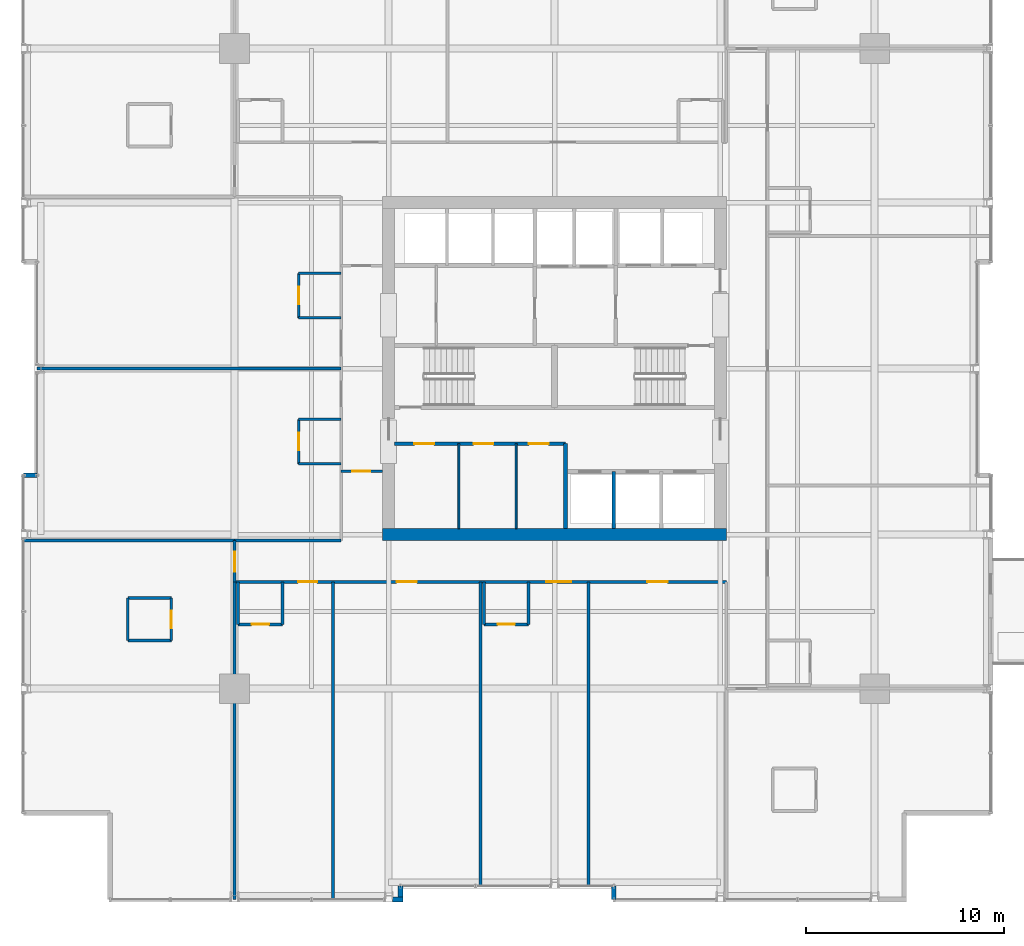
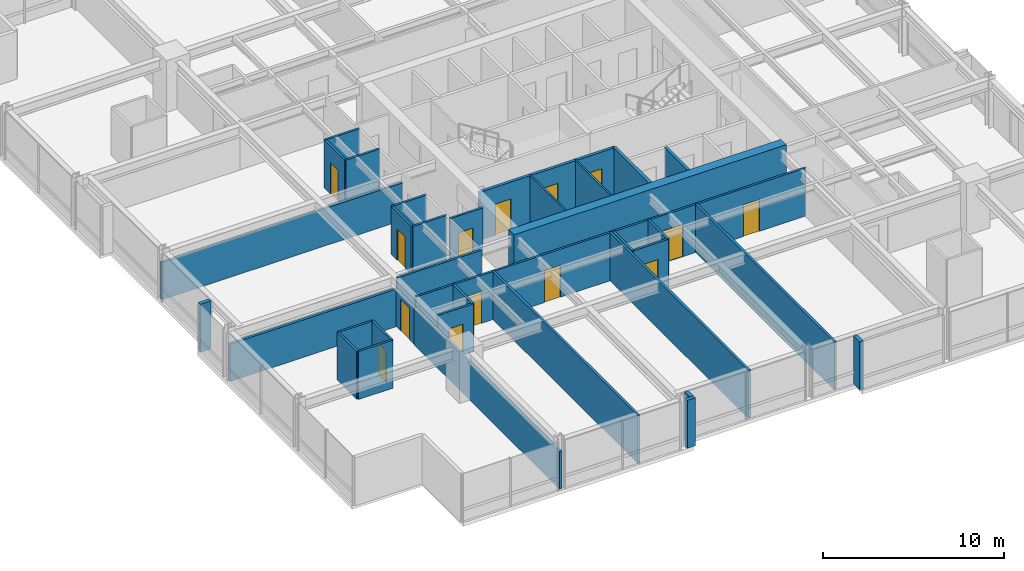
# One storey, part 28 of 33: 36 walls, 14 doors, 14 openings.
"""IFC4 building model written with IfcOpenShell, lengths in metres."""

from ifc_helpers import new_model, si_unit, direction, frame, frame_2d, origin, place, context, subcontext, project, spatial, rectangle, extrude, material, layer, layer_set, type_object, element, fill, save


model = new_model("IFC4")

# Units and contexts
model_context = context("Model", 3, precision=1e-05, world=origin(), true_north=direction((0.0, 1.0)))
body_context = subcontext(model_context, "Body", "Model", "MODEL_VIEW")
ifc_project = project(units=[si_unit("LENGTHUNIT", "METRE"), si_unit("AREAUNIT", "SQUARE_METRE"), si_unit("VOLUMEUNIT", "CUBIC_METRE"), si_unit("PLANEANGLEUNIT", "RADIAN"), si_unit("MASSUNIT", "GRAM", prefix="KILO")], contexts=[model_context])

# Site, building, storey
site_placement = place(None, origin())
site = spatial("IfcSite", under=ifc_project, at=site_placement, CompositionType="ELEMENT")
building_placement = place(site_placement, origin())
building = spatial("IfcBuilding", under=site, at=building_placement, Name="Drelvath Grand Hotel", CompositionType="ELEMENT")
storey_placement = place(building_placement, frame((0.0, 0.0, 119.800048828125)))
storey = spatial("IfcBuildingStorey", under=building, at=storey_placement, Name="L30", CompositionType="ELEMENT", Elevation=119.800048828125)

# Walls
ifc_material_1 = material(Name="Gypsum Partition Board")
ifc_layer_1 = layer(ifc_material_1, 0.10009765625)
ifc_layer_set_1 = layer_set([ifc_layer_1], Name="Gypsum Partition Board")
wall_type_1 = type_object("IfcWallType", Name="Core Closet Partition 100", PredefinedType="PARTITIONING", material=ifc_layer_set_1)
for number, where, z_axis, x_axis, name in (
    (1, (-4.840087890625, 18.89990234375, 0.0), (0.0, 0.0, 1.0), (0.0, 1.0, 0.0), "L30 Reclaimed Split 1"),
    (2, (-1.93994140625, 18.89990234375, 0.0), (0.0, 0.0, 1.0), (0.0, 1.0, 0.0), "L30 Reclaimed Split 2"),
):
    element("IfcWall", number, at=place(storey_placement, frame(where, z_axis=z_axis, x_axis=x_axis)), inside=storey, type_object=wall_type_1, Name=name, PredefinedType="PARTITIONING", context=body_context, shape_type="SweptSolid", body=[
        extrude(rectangle(XDim=4.300048828125, YDim=0.10009765625, at=frame_2d((2.14990234375, 0.0))), origin(), (0.0, 0.0, 1.0), 3.239990234375),
    ])
ifc_material_2 = material(Name="Concrete C40/50", Category="concrete")
ifc_layer_2 = layer(ifc_material_2, 0.199951171875)
ifc_layer_set_2 = layer_set([ifc_layer_2], Name="Concrete C40/50")
wall_type_2 = type_object("IfcWallType", Name="Core Hoistway Fire Wall 200", PredefinedType="SOLIDWALL", material=ifc_layer_set_2)
wall_1_placement = place(storey_placement, frame((0.550048828125, 18.89990234375, 0.0), z_axis=(0.0, 0.0, 1.0), x_axis=(0.0, 1.0, 0.0)))
element("IfcWall", 3, at=wall_1_placement, inside=storey, type_object=wall_type_2, Name="L30 Bank 2 West Wall", PredefinedType="SOLIDWALL", context=body_context, shape_type="SweptSolid", body=[
    extrude(rectangle(XDim=4.300048828125, YDim=0.199951171875, at=frame_2d((2.14990234375, 0.0))), origin(), (0.0, 0.0, 1.0), 3.239990234375),
])
ifc_material_3 = material(Name="Gypsum Fireboard Partition")
ifc_layer_3 = layer(ifc_material_3, 0.1650390625)
ifc_layer_set_3 = layer_set([ifc_layer_3], Name="Gypsum Fireboard Partition")
wall_type_3 = type_object("IfcWallType", Name="Core Shaft Partition 165", PredefinedType="PARTITIONING", material=ifc_layer_set_3)
wall_2_placement = place(storey_placement, frame((3.0, 18.89990234375, 0.0), z_axis=(0.0, 0.0, 1.0), x_axis=(0.0, 1.0, 0.0)))
element("IfcWall", 4, at=wall_2_placement, inside=storey, type_object=wall_type_3, Name="L30 Lift PE-4/5 Divider", PredefinedType="PARTITIONING", context=body_context, shape_type="SweptSolid", body=[
    extrude(rectangle(XDim=2.880126953125, YDim=0.1650390625, at=frame_2d((1.43994140625, 0.0))), origin(), (0.0, 0.0, 1.0), 3.239990234375),
])

# Wall, opening, door
ifc_layer_4 = layer(ifc_material_3, 0.135009765625)
ifc_layer_set_4 = layer_set([ifc_layer_4], Name="Gypsum Fireboard Partition")
wall_type_4 = type_object("IfcWallType", Name="Corridor Fire Barrier Wall 135", PredefinedType="PARTITIONING", material=ifc_layer_set_4)
wall_3_placement = place(storey_placement, frame((-10.800048828125, 21.800048828125, 0.0), z_axis=(0.0, 0.0, 1.0), x_axis=(1.0, 0.0, 0.0)))
wall_3 = element("IfcWall", 5, at=wall_3_placement, inside=storey, type_object=wall_type_4, Name="L30 West Foyer South Wall", PredefinedType="PARTITIONING", context=body_context, shape_type="SweptSolid", body=[
    extrude(rectangle(XDim=2.10009765625, YDim=0.135009765625, at=frame_2d((1.050048828125, 0.0))), origin(), (0.0, 0.0, 1.0), 3.239990234375),
])
opening_1_placement = place(wall_3_placement, frame((0.550048828125, 0.0, 0.0)))
opening_1 = element("IfcOpeningElement", 6, at=opening_1_placement, cuts=wall_3, Name="Opening D-T2G3-019", PredefinedType="OPENING", context=body_context, shape_type="SweptSolid", body=[
    extrude(rectangle(XDim=0.919921875, YDim=2.10009765625, at=frame_2d((0.4599609375, 1.050048828125))), frame((0.0, 0.077392578125, 0.0), z_axis=(0.0, -1.0, 0.0), x_axis=(1.0, 0.0, 0.0)), (0.0, 0.0, 1.0), 0.155029296875),
])
ifc_material_4 = material(Name="Painted Steel S275", Category="steel")
door_type_1 = type_object("IfcDoorType", Name="Staff Utility Door 920x2100", OperationType="NOTDEFINED", PredefinedType="DOOR", material=ifc_material_4)
door_1_placement = place(opening_1_placement, origin())
door_1 = element("IfcDoor", 7, at=door_1_placement, inside=storey, type_object=door_type_1, Name="L30 West Linen Closet Door", OperationType="SINGLE_SWING_RIGHT", OverallHeight=2.10009765625, OverallWidth=0.919921875, PredefinedType="DOOR", context=body_context, shape_type="SweptSolid", body=[
    extrude(rectangle(XDim=0.919921875, YDim=2.10009765625, at=frame_2d((0.4599609375, 1.050048828125))), frame((0.0, 0.02490234375, 0.0), z_axis=(0.0, -1.0, 0.0), x_axis=(1.0, 0.0, 0.0)), (0.0, 0.0, 1.0), 0.050048828125),
])
fill(opening_1, door_1)

# Wall
wall_4_placement = place(storey_placement, frame((-16.199951171875, 18.300048828125, 0.0), z_axis=(0.0, 0.0, 1.0), x_axis=(1.0, 0.0, 0.0)))
element("IfcWall", 8, at=wall_4_placement, inside=storey, type_object=wall_type_4, Name="L30 SW Stub North Wall", PredefinedType="PARTITIONING", context=body_context, shape_type="SweptSolid", body=[
    extrude(rectangle(XDim=5.39990234375, YDim=0.135009765625, at=frame_2d((2.699951171875, 0.0))), origin(), (0.0, 0.0, 1.0), 3.239990234375),
])

# Wall, openings, doors
wall_5_placement = place(storey_placement, frame((-16.199951171875, 16.199951171875, 0.0), z_axis=(0.0, 0.0, 1.0), x_axis=(1.0, 0.0, 0.0)))
wall_5 = element("IfcWall", 9, at=wall_5_placement, inside=storey, type_object=wall_type_4, Name="L30 South Stub Corridor Wall", PredefinedType="PARTITIONING", context=body_context, shape_type="SweptSolid", body=[
    extrude(rectangle(XDim=24.89990234375, YDim=0.135009765625, at=frame_2d((12.449951171875, 0.0))), origin(), (0.0, 0.0, 1.0), 3.239990234375),
])
opening_2_placement = place(wall_5_placement, frame((3.22509765625, 0.0, 0.0)))
opening_2 = element("IfcOpeningElement", 10, at=opening_2_placement, cuts=wall_5, Name="Opening D-T2G3-030", PredefinedType="OPENING", context=body_context, shape_type="SweptSolid", body=[
    extrude(rectangle(XDim=0.9599609375, YDim=2.14990234375, at=frame_2d((0.47998046875, 1.074951171875))), frame((0.0, 0.077392578125, 0.0), z_axis=(0.0, -1.0, 0.0), x_axis=(1.0, 0.0, 0.0)), (0.0, 0.0, 1.0), 0.155029296875),
])
opening_3_placement = place(wall_5_placement, frame((8.205078125, 0.0, 0.0)))
opening_3 = element("IfcOpeningElement", 11, at=opening_3_placement, cuts=wall_5, Name="Opening D-T2G3-031", PredefinedType="OPENING", context=body_context, shape_type="SweptSolid", body=[
    extrude(rectangle(XDim=1.02001953125, YDim=2.14990234375, at=frame_2d((0.510009765625, 1.074951171875))), frame((0.0, 0.077392578125, 0.0), z_axis=(0.0, -1.0, 0.0), x_axis=(1.0, 0.0, 0.0)), (0.0, 0.0, 1.0), 0.155029296875),
])
opening_4_placement = place(wall_5_placement, frame((15.77392578125, 0.0, 0.0)))
opening_4 = element("IfcOpeningElement", 12, at=opening_4_placement, cuts=wall_5, Name="Opening D-T2G3-033", PredefinedType="OPENING", context=body_context, shape_type="SweptSolid", body=[
    extrude(rectangle(XDim=1.260009765625, YDim=2.199951171875, at=frame_2d((0.6298828125, 1.10009765625))), frame((0.0, 0.077392578125, 0.0), z_axis=(0.0, -1.0, 0.0), x_axis=(1.0, 0.0, 0.0)), (0.0, 0.0, 1.0), 0.155029296875),
])
opening_5_placement = place(wall_5_placement, frame((20.904052734375, 0.0, 0.0)))
opening_5 = element("IfcOpeningElement", 13, at=opening_5_placement, cuts=wall_5, Name="Opening D-T2G3-034", PredefinedType="OPENING", context=body_context, shape_type="SweptSolid", body=[
    extrude(rectangle(XDim=1.02001953125, YDim=2.14990234375, at=frame_2d((0.510009765625, 1.074951171875))), frame((0.0, 0.077392578125, 0.0), z_axis=(0.0, -1.0, 0.0), x_axis=(1.0, 0.0, 0.0)), (0.0, 0.0, 1.0), 0.155029296875),
])
ifc_material_5 = material(Name="Hardwood Walnut Timber", Category="wood")
door_type_2 = type_object("IfcDoorType", Name="Amenity Meeting Fire Door 1020x2150", OperationType="NOTDEFINED", PredefinedType="DOOR", material=ifc_material_5)
door_2_placement = place(opening_3_placement, origin())
door_2 = element("IfcDoor", 14, at=door_2_placement, inside=storey, type_object=door_type_2, Name="L30 Spa Hydrotherapy Room Entry Door", OperationType="SINGLE_SWING_RIGHT", OverallHeight=2.14990234375, OverallWidth=1.02001953125, PredefinedType="DOOR", context=body_context, shape_type="SweptSolid", body=[
    extrude(rectangle(XDim=1.02001953125, YDim=2.14990234375, at=frame_2d((0.510009765625, 1.074951171875))), frame((0.0, 0.02490234375, 0.0), z_axis=(0.0, -1.0, 0.0), x_axis=(1.0, 0.0, 0.0)), (0.0, 0.0, 1.0), 0.050048828125),
])
fill(opening_3, door_2)
door_3_placement = place(opening_5_placement, origin())
door_3 = element("IfcDoor", 15, at=door_3_placement, inside=storey, type_object=door_type_2, Name="L30 Massage Therapy Room Entry Door", OperationType="SINGLE_SWING_LEFT", OverallHeight=2.14990234375, OverallWidth=1.02001953125, PredefinedType="DOOR", context=body_context, shape_type="SweptSolid", body=[
    extrude(rectangle(XDim=1.02001953125, YDim=2.14990234375, at=frame_2d((0.510009765625, 1.074951171875))), frame((0.0, 0.02490234375, 0.0), z_axis=(0.0, -1.0, 0.0), x_axis=(1.0, 0.0, 0.0)), (0.0, 0.0, 1.0), 0.050048828125),
])
fill(opening_5, door_3)
door_type_3 = type_object("IfcDoorType", Name="Guestroom Entrance Fire Door 960x2150", OperationType="NOTDEFINED", PredefinedType="DOOR", material=ifc_material_5)
door_4_placement = place(opening_2_placement, origin())
door_4 = element("IfcDoor", 16, at=door_4_placement, inside=storey, type_object=door_type_3, Name="L30 Deluxe Guest Room Entry Door", OperationType="SINGLE_SWING_LEFT", OverallHeight=2.14990234375, OverallWidth=0.9599609375, PredefinedType="DOOR", context=body_context, shape_type="SweptSolid", body=[
    extrude(rectangle(XDim=0.9599609375, YDim=2.14990234375, at=frame_2d((0.47998046875, 1.074951171875))), frame((0.0, 0.02490234375, 0.0), z_axis=(0.0, -1.0, 0.0), x_axis=(1.0, 0.0, 0.0)), (0.0, 0.0, 1.0), 0.050048828125),
])
fill(opening_2, door_4)
door_type_4 = type_object("IfcDoorType", Name="Suite Entrance Fire Door 1260x2200", OperationType="NOTDEFINED", PredefinedType="DOOR", material=ifc_material_5)
door_5_placement = place(opening_4_placement, origin())
door_5 = element("IfcDoor", 17, at=door_5_placement, inside=storey, type_object=door_type_4, Name="L30 Corner Suite Entry Door", OperationType="SINGLE_SWING_RIGHT", OverallHeight=2.199951171875, OverallWidth=1.260009765625, PredefinedType="DOOR", context=body_context, shape_type="SweptSolid", body=[
    extrude(rectangle(XDim=1.260009765625, YDim=2.199951171875, at=frame_2d((0.6298828125, 1.10009765625))), frame((0.0, 0.02490234375, 0.0), z_axis=(0.0, -1.0, 0.0), x_axis=(1.0, 0.0, 0.0)), (0.0, 0.0, 1.0), 0.050048828125),
])
fill(opening_4, door_5)

# Wall, opening, door
wall_6_placement = place(storey_placement, frame((-16.199951171875, 16.199951171875, 0.0), z_axis=(0.0, 0.0, 1.0), x_axis=(0.0, 1.0, 0.0)))
wall_6 = element("IfcWall", 18, at=wall_6_placement, inside=storey, type_object=wall_type_4, Name="L30 South Stub West End", PredefinedType="PARTITIONING", context=body_context, shape_type="SweptSolid", body=[
    extrude(rectangle(XDim=2.10009765625, YDim=0.135009765625, at=frame_2d((1.050048828125, 0.0))), origin(), (0.0, 0.0, 1.0), 2.529541015625),
])
opening_6_placement = place(wall_6_placement, frame((0.52001953125, 0.0, 0.0)))
opening_6 = element("IfcOpeningElement", 19, at=opening_6_placement, cuts=wall_6, Name="Opening D-T2G3-022", PredefinedType="OPENING", context=body_context, shape_type="SweptSolid", body=[
    extrude(rectangle(XDim=1.02001953125, YDim=2.14990234375, at=frame_2d((0.510009765625, 1.074951171875))), frame((0.0, 0.077392578125, 0.0), z_axis=(0.0, -1.0, 0.0), x_axis=(1.0, 0.0, 0.0)), (0.0, 0.0, 1.0), 0.155029296875),
])
door_6_placement = place(opening_6_placement, origin())
door_6 = element("IfcDoor", 20, at=door_6_placement, inside=storey, type_object=door_type_2, Name="L30 Corner Suite Entry Door", OperationType="SINGLE_SWING_LEFT", OverallHeight=2.14990234375, OverallWidth=1.02001953125, PredefinedType="DOOR", context=body_context, shape_type="SweptSolid", body=[
    extrude(rectangle(XDim=1.02001953125, YDim=2.14990234375, at=frame_2d((0.510009765625, 1.074951171875))), frame((0.0, 0.02490234375, 0.0), z_axis=(0.0, -1.0, 0.0), x_axis=(1.0, 0.0, 0.0)), (0.0, 0.0, 1.0), 0.050048828125),
])
fill(opening_6, door_6)

# Walls
ifc_material_6 = material(Name="Moisture-Resistant Gypsum Board")
ifc_layer_5 = layer(ifc_material_6, 0.139892578125)
ifc_layer_set_5 = layer_set([ifc_layer_5], Name="Moisture-Resistant Gypsum Board")
wall_type_5 = type_object("IfcWallType", Name="En-Suite Plumbing Wall 140", PredefinedType="PLUMBINGWALL", material=ifc_layer_set_5)
for number, where, z_axis, x_axis, name in (
    (21, (-21.60009765625, 13.239990234375, 0.0), (0.0, 0.0, 1.0), (1.0, 0.0, 0.0), "L30 Corner En-Suite South"),
    (22, (-21.60009765625, 15.389892578125, 0.0), (0.0, 0.0, 1.0), (1.0, 0.0, 0.0), "L30 Corner En-Suite North"),
):
    element("IfcWall", number, at=place(storey_placement, frame(where, z_axis=z_axis, x_axis=x_axis)), inside=storey, type_object=wall_type_5, Name=name, PredefinedType="PLUMBINGWALL", context=body_context, shape_type="SweptSolid", body=[
        extrude(rectangle(XDim=2.2001953125, YDim=0.139892578125, at=frame_2d((1.10009765625, 0.0))), origin(), (0.0, 0.0, 1.0), 3.239990234375),
    ])
wall_7_placement = place(storey_placement, frame((-21.60009765625, 13.239990234375, 0.0), z_axis=(0.0, 0.0, 1.0), x_axis=(0.0, 1.0, 0.0)))
element("IfcWall", 23, at=wall_7_placement, inside=storey, type_object=wall_type_5, Name="L30 Corner En-Suite West", PredefinedType="PLUMBINGWALL", context=body_context, shape_type="SweptSolid", body=[
    extrude(rectangle(XDim=2.14990234375, YDim=0.139892578125, at=frame_2d((1.074951171875, 0.0))), origin(), (0.0, 0.0, 1.0), 3.239990234375),
])

# Wall, opening, door
wall_8_placement = place(storey_placement, frame((-19.39990234375, 13.239990234375, 0.0), z_axis=(0.0, 0.0, 1.0), x_axis=(0.0, 1.0, 0.0)))
wall_8 = element("IfcWall", 24, at=wall_8_placement, inside=storey, type_object=wall_type_5, Name="L30 Corner En-Suite East", PredefinedType="PLUMBINGWALL", context=body_context, shape_type="SweptSolid", body=[
    extrude(rectangle(XDim=2.14990234375, YDim=0.139892578125, at=frame_2d((1.074951171875, 0.0))), origin(), (0.0, 0.0, 1.0), 3.239990234375),
])
opening_7_placement = place(wall_8_placement, frame((0.6201171875, 0.0, 0.0)))
opening_7 = element("IfcOpeningElement", 25, at=opening_7_placement, cuts=wall_8, Name="Opening D-T2G3-021", PredefinedType="OPENING", context=body_context, shape_type="SweptSolid", body=[
    extrude(rectangle(XDim=0.8798828125, YDim=2.10009765625, at=frame_2d((0.43994140625, 1.050048828125))), frame((0.0, 0.079833984375, 0.0), z_axis=(0.0, -1.0, 0.0), x_axis=(1.0, 0.0, 0.0)), (0.0, 0.0, 1.0), 0.159912109375),
])
door_type_5 = type_object("IfcDoorType", Name="En-Suite Bathroom Door 880x2100", OperationType="NOTDEFINED", PredefinedType="DOOR", material=ifc_material_5)
door_7_placement = place(opening_7_placement, origin())
door_7 = element("IfcDoor", 26, at=door_7_placement, inside=storey, type_object=door_type_5, Name="L30 Corner En-Suite Door", OperationType="SINGLE_SWING_RIGHT", OverallHeight=2.10009765625, OverallWidth=0.8798828125, PredefinedType="DOOR", context=body_context, shape_type="SweptSolid", body=[
    extrude(rectangle(XDim=0.8798828125, YDim=2.10009765625, at=frame_2d((0.43994140625, 1.050048828125))), frame((0.0, 0.02490234375, 0.0), z_axis=(0.0, -1.0, 0.0), x_axis=(1.0, 0.0, 0.0)), (0.0, 0.0, 1.0), 0.050048828125),
])
fill(opening_7, door_7)

# Walls
wall_9_placement = place(storey_placement, frame((-16.02001953125, 16.199951171875, 0.0), z_axis=(0.0, 0.0, 1.0), x_axis=(0.0, -1.0, 0.0)))
element("IfcWall", 27, at=wall_9_placement, inside=storey, type_object=wall_type_5, Name="L30 En-Suite Left Wall", PredefinedType="PLUMBINGWALL", context=body_context, shape_type="SweptSolid", body=[
    extrude(rectangle(XDim=2.14990234375, YDim=0.139892578125, at=frame_2d((1.074951171875, 0.0))), origin(), (0.0, 0.0, 1.0), 2.529541015625),
])
wall_10_placement = place(storey_placement, frame((-13.77001953125, 16.199951171875, 0.0), z_axis=(0.0, 0.0, 1.0), x_axis=(0.0, -1.0, 0.0)))
element("IfcWall", 28, at=wall_10_placement, inside=storey, type_object=wall_type_5, Name="L30 En-Suite Right Wall", PredefinedType="PLUMBINGWALL", context=body_context, shape_type="SweptSolid", body=[
    extrude(rectangle(XDim=2.14990234375, YDim=0.139892578125, at=frame_2d((1.074951171875, 0.0))), origin(), (0.0, 0.0, 1.0), 3.239990234375),
])

# Wall, opening, door
wall_11_placement = place(storey_placement, frame((-16.02001953125, 14.050048828125, 0.0), z_axis=(0.0, 0.0, 1.0), x_axis=(1.0, 0.0, 0.0)))
wall_11 = element("IfcWall", 29, at=wall_11_placement, inside=storey, type_object=wall_type_5, Name="L30 En-Suite Front Wall", PredefinedType="PLUMBINGWALL", context=body_context, shape_type="SweptSolid", body=[
    extrude(rectangle(XDim=2.25, YDim=0.139892578125, at=frame_2d((1.125, 0.0))), origin(), (0.0, 0.0, 1.0), 3.239990234375),
])
opening_8_placement = place(wall_11_placement, frame((0.68505859375, 0.0, 0.0)))
opening_8 = element("IfcOpeningElement", 30, at=opening_8_placement, cuts=wall_11, Name="Opening D-T2G3-029", PredefinedType="OPENING", context=body_context, shape_type="SweptSolid", body=[
    extrude(rectangle(XDim=0.8798828125, YDim=2.10009765625, at=frame_2d((0.43994140625, 1.050048828125))), frame((0.0, 0.079833984375, 0.0), z_axis=(0.0, -1.0, 0.0), x_axis=(1.0, 0.0, 0.0)), (0.0, 0.0, 1.0), 0.159912109375),
])
door_8_placement = place(opening_8_placement, origin())
door_8 = element("IfcDoor", 31, at=door_8_placement, inside=storey, type_object=door_type_5, Name="L30 En-Suite Bathroom Door", OperationType="SINGLE_SWING_RIGHT", OverallHeight=2.10009765625, OverallWidth=0.8798828125, PredefinedType="DOOR", context=body_context, shape_type="SweptSolid", body=[
    extrude(rectangle(XDim=0.8798828125, YDim=2.10009765625, at=frame_2d((0.43994140625, 1.050048828125))), frame((0.0, 0.02490234375, 0.0), z_axis=(0.0, -1.0, 0.0), x_axis=(1.0, 0.0, 0.0)), (0.0, 0.0, 1.0), 0.050048828125),
])
fill(opening_8, door_8)

# Walls
for number, where, z_axis, x_axis, name in (
    (32, (-3.570068359375, 16.199951171875, 0.0), (0.0, 0.0, 1.0), (0.0, -1.0, 0.0), "L30 En-Suite Left Wall"),
    (33, (-1.320068359375, 16.199951171875, 0.0), (0.0, 0.0, 1.0), (0.0, -1.0, 0.0), "L30 En-Suite Right Wall"),
):
    element("IfcWall", number, at=place(storey_placement, frame(where, z_axis=z_axis, x_axis=x_axis)), inside=storey, type_object=wall_type_5, Name=name, PredefinedType="PLUMBINGWALL", context=body_context, shape_type="SweptSolid", body=[
        extrude(rectangle(XDim=2.14990234375, YDim=0.139892578125, at=frame_2d((1.074951171875, 0.0))), origin(), (0.0, 0.0, 1.0), 3.239990234375),
    ])

# Wall, opening, door
wall_12_placement = place(storey_placement, frame((-3.570068359375, 14.050048828125, 0.0), z_axis=(0.0, 0.0, 1.0), x_axis=(1.0, 0.0, 0.0)))
wall_12 = element("IfcWall", 34, at=wall_12_placement, inside=storey, type_object=wall_type_5, Name="L30 En-Suite Front Wall", PredefinedType="PLUMBINGWALL", context=body_context, shape_type="SweptSolid", body=[
    extrude(rectangle(XDim=2.25, YDim=0.139892578125, at=frame_2d((1.125, 0.0))), origin(), (0.0, 0.0, 1.0), 3.239990234375),
])
opening_9_placement = place(wall_12_placement, frame((0.68505859375, 0.0, 0.0)))
opening_9 = element("IfcOpeningElement", 35, at=opening_9_placement, cuts=wall_12, Name="Opening D-T2G3-032", PredefinedType="OPENING", context=body_context, shape_type="SweptSolid", body=[
    extrude(rectangle(XDim=0.8798828125, YDim=2.10009765625, at=frame_2d((0.43994140625, 1.050048828125))), frame((0.0, 0.079833984375, 0.0), z_axis=(0.0, -1.0, 0.0), x_axis=(1.0, 0.0, 0.0)), (0.0, 0.0, 1.0), 0.159912109375),
])
door_9_placement = place(opening_9_placement, origin())
door_9 = element("IfcDoor", 36, at=door_9_placement, inside=storey, type_object=door_type_5, Name="L30 En-Suite Bathroom Door", OperationType="SINGLE_SWING_LEFT", OverallHeight=2.10009765625, OverallWidth=0.8798828125, PredefinedType="DOOR", context=body_context, shape_type="SweptSolid", body=[
    extrude(rectangle(XDim=0.8798828125, YDim=2.10009765625, at=frame_2d((0.43994140625, 1.050048828125))), frame((0.0, 0.02490234375, 0.0), z_axis=(0.0, -1.0, 0.0), x_axis=(1.0, 0.0, 0.0)), (0.0, 0.0, 1.0), 0.050048828125),
])
fill(opening_9, door_9)

# Walls
for number, where, z_axis, x_axis, name in (
    (37, (-10.800048828125, 22.179931640625, 0.0), (0.0, 0.0, 1.0), (-1.0, 0.0, 0.0), "L30 En-Suite Left Wall"),
    (38, (-10.800048828125, 24.429931640625, 0.0), (0.0, 0.0, 1.0), (-1.0, 0.0, 0.0), "L30 En-Suite Right Wall"),
):
    element("IfcWall", number, at=place(storey_placement, frame(where, z_axis=z_axis, x_axis=x_axis)), inside=storey, type_object=wall_type_5, Name=name, PredefinedType="PLUMBINGWALL", context=body_context, shape_type="SweptSolid", body=[
        extrude(rectangle(XDim=2.14990234375, YDim=0.139892578125, at=frame_2d((1.074951171875, 0.0))), origin(), (0.0, 0.0, 1.0), 3.239990234375),
    ])

# Wall, opening, door
wall_13_placement = place(storey_placement, frame((-12.949951171875, 22.179931640625, 0.0), z_axis=(0.0, 0.0, 1.0), x_axis=(0.0, 1.0, 0.0)))
wall_13 = element("IfcWall", 39, at=wall_13_placement, inside=storey, type_object=wall_type_5, Name="L30 En-Suite Front Wall", PredefinedType="PLUMBINGWALL", context=body_context, shape_type="SweptSolid", body=[
    extrude(rectangle(XDim=2.25, YDim=0.139892578125, at=frame_2d((1.125, 0.0))), origin(), (0.0, 0.0, 1.0), 3.239990234375),
])
opening_10_placement = place(wall_13_placement, frame((0.68505859375, 0.0, 0.0)))
opening_10 = element("IfcOpeningElement", 40, at=opening_10_placement, cuts=wall_13, Name="Opening D-T2G3-044", PredefinedType="OPENING", context=body_context, shape_type="SweptSolid", body=[
    extrude(rectangle(XDim=0.8798828125, YDim=2.10009765625, at=frame_2d((0.43994140625, 1.050048828125))), frame((0.0, 0.079833984375, 0.0), z_axis=(0.0, -1.0, 0.0), x_axis=(1.0, 0.0, 0.0)), (0.0, 0.0, 1.0), 0.159912109375),
])
door_10_placement = place(opening_10_placement, origin())
door_10 = element("IfcDoor", 41, at=door_10_placement, inside=storey, type_object=door_type_5, Name="L30 En-Suite Bathroom Door", OperationType="SINGLE_SWING_LEFT", OverallHeight=2.10009765625, OverallWidth=0.8798828125, PredefinedType="DOOR", context=body_context, shape_type="SweptSolid", body=[
    extrude(rectangle(XDim=0.8798828125, YDim=2.10009765625, at=frame_2d((0.43994140625, 1.050048828125))), frame((0.0, 0.02490234375, 0.0), z_axis=(0.0, -1.0, 0.0), x_axis=(1.0, 0.0, 0.0)), (0.0, 0.0, 1.0), 0.050048828125),
])
fill(opening_10, door_10)

# Walls
for number, where, z_axis, x_axis, name in (
    (42, (-10.800048828125, 29.570068359375, 0.0), (0.0, 0.0, 1.0), (-1.0, 0.0, 0.0), "L30 En-Suite Left Wall"),
    (43, (-10.800048828125, 31.820068359375, 0.0), (0.0, 0.0, 1.0), (-1.0, 0.0, 0.0), "L30 En-Suite Right Wall"),
):
    element("IfcWall", number, at=place(storey_placement, frame(where, z_axis=z_axis, x_axis=x_axis)), inside=storey, type_object=wall_type_5, Name=name, PredefinedType="PLUMBINGWALL", context=body_context, shape_type="SweptSolid", body=[
        extrude(rectangle(XDim=2.14990234375, YDim=0.139892578125, at=frame_2d((1.074951171875, 0.0))), origin(), (0.0, 0.0, 1.0), 3.239990234375),
    ])

# Wall, opening, door
wall_14_placement = place(storey_placement, frame((-12.949951171875, 29.570068359375, 0.0), z_axis=(0.0, 0.0, 1.0), x_axis=(0.0, 1.0, 0.0)))
wall_14 = element("IfcWall", 44, at=wall_14_placement, inside=storey, type_object=wall_type_5, Name="L30 En-Suite Front Wall", PredefinedType="PLUMBINGWALL", context=body_context, shape_type="SweptSolid", body=[
    extrude(rectangle(XDim=2.25, YDim=0.139892578125, at=frame_2d((1.125, 0.0))), origin(), (0.0, 0.0, 1.0), 3.239990234375),
])
opening_11_placement = place(wall_14_placement, frame((0.68505859375, 0.0, 0.0)))
opening_11 = element("IfcOpeningElement", 45, at=opening_11_placement, cuts=wall_14, Name="Opening D-T2G3-046", PredefinedType="OPENING", context=body_context, shape_type="SweptSolid", body=[
    extrude(rectangle(XDim=0.8798828125, YDim=2.10009765625, at=frame_2d((0.43994140625, 1.050048828125))), frame((0.0, 0.079833984375, 0.0), z_axis=(0.0, -1.0, 0.0), x_axis=(1.0, 0.0, 0.0)), (0.0, 0.0, 1.0), 0.159912109375),
])
door_11_placement = place(opening_11_placement, origin())
door_11 = element("IfcDoor", 46, at=door_11_placement, inside=storey, type_object=door_type_5, Name="L30 En-Suite Bathroom Door", OperationType="SINGLE_SWING_LEFT", OverallHeight=2.10009765625, OverallWidth=0.8798828125, PredefinedType="DOOR", context=body_context, shape_type="SweptSolid", body=[
    extrude(rectangle(XDim=0.8798828125, YDim=2.10009765625, at=frame_2d((0.43994140625, 1.050048828125))), frame((0.0, 0.02490234375, 0.0), z_axis=(0.0, -1.0, 0.0), x_axis=(1.0, 0.0, 0.0)), (0.0, 0.0, 1.0), 0.050048828125),
])
fill(opening_11, door_11)

# Wall, openings, doors
ifc_layer_6 = layer(ifc_material_3, 0.179931640625)
ifc_layer_set_6 = layer_set([ifc_layer_6], Name="Gypsum Fireboard Partition")
wall_type_6 = type_object("IfcWallType", Name="FSAE Smoke Lobby Fire Wall 180", PredefinedType="SOLIDWALL", material=ifc_layer_set_6)
wall_15_placement = place(storey_placement, frame((-8.10009765625, 23.199951171875, 0.0), z_axis=(0.0, 0.0, 1.0), x_axis=(1.0, 0.0, 0.0)))
wall_15 = element("IfcWall", 47, at=wall_15_placement, inside=storey, type_object=wall_type_6, Name="L30 Reclaimed Core Room Wall", PredefinedType="SOLIDWALL", context=body_context, shape_type="SweptSolid", body=[
    extrude(rectangle(XDim=8.650146484375, YDim=0.179931640625, at=frame_2d((4.3251953125, 0.0))), origin(), (0.0, 0.0, 1.0), 3.239990234375),
])
opening_12_placement = place(wall_15_placement, frame((1.0, 0.0, 0.0)))
opening_12 = element("IfcOpeningElement", 48, at=opening_12_placement, cuts=wall_15, Name="Opening D-T2G3-016", PredefinedType="OPENING", context=body_context, shape_type="SweptSolid", body=[
    extrude(rectangle(XDim=1.0, YDim=2.10009765625, at=frame_2d((0.5, 1.050048828125))), frame((0.0, 0.099853515625, 0.0), z_axis=(0.0, -1.0, 0.0), x_axis=(1.0, 0.0, 0.0)), (0.0, 0.0, 1.0), 0.199951171875),
])
opening_13_placement = place(wall_15_placement, frame((4.0, 0.0, 0.0)))
opening_13 = element("IfcOpeningElement", 49, at=opening_13_placement, cuts=wall_15, Name="Opening D-T2G3-017", PredefinedType="OPENING", context=body_context, shape_type="SweptSolid", body=[
    extrude(rectangle(XDim=1.0, YDim=2.10009765625, at=frame_2d((0.5, 1.050048828125))), frame((0.0, 0.099853515625, 0.0), z_axis=(0.0, -1.0, 0.0), x_axis=(1.0, 0.0, 0.0)), (0.0, 0.0, 1.0), 0.199951171875),
])
opening_14_placement = place(wall_15_placement, frame((6.800048828125, 0.0, 0.0)))
opening_14 = element("IfcOpeningElement", 50, at=opening_14_placement, cuts=wall_15, Name="Opening D-T2G3-018", PredefinedType="OPENING", context=body_context, shape_type="SweptSolid", body=[
    extrude(rectangle(XDim=1.0, YDim=2.10009765625, at=frame_2d((0.5, 1.050048828125))), frame((0.0, 0.099853515625, 0.0), z_axis=(0.0, -1.0, 0.0), x_axis=(1.0, 0.0, 0.0)), (0.0, 0.0, 1.0), 0.199951171875),
])
door_type_6 = type_object("IfcDoorType", Name="Core Service Fire Door 1000x2100", OperationType="NOTDEFINED", PredefinedType="DOOR", material=ifc_material_4)
door_12_placement = place(opening_12_placement, origin())
door_12 = element("IfcDoor", 51, at=door_12_placement, inside=storey, type_object=door_type_6, Name="L30 Housekeeping Door", OperationType="SINGLE_SWING_LEFT", OverallHeight=2.10009765625, OverallWidth=1.0, PredefinedType="DOOR", context=body_context, shape_type="SweptSolid", body=[
    extrude(rectangle(XDim=1.0, YDim=2.10009765625, at=frame_2d((0.5, 1.050048828125))), frame((0.0, 0.02490234375, 0.0), z_axis=(0.0, -1.0, 0.0), x_axis=(1.0, 0.0, 0.0)), (0.0, 0.0, 1.0), 0.050048828125),
])
fill(opening_12, door_12)
door_13_placement = place(opening_13_placement, origin())
door_13 = element("IfcDoor", 52, at=door_13_placement, inside=storey, type_object=door_type_6, Name="L30 Pantry Door", OperationType="SINGLE_SWING_RIGHT", OverallHeight=2.10009765625, OverallWidth=1.0, PredefinedType="DOOR", context=body_context, shape_type="SweptSolid", body=[
    extrude(rectangle(XDim=1.0, YDim=2.10009765625, at=frame_2d((0.5, 1.050048828125))), frame((0.0, 0.02490234375, 0.0), z_axis=(0.0, -1.0, 0.0), x_axis=(1.0, 0.0, 0.0)), (0.0, 0.0, 1.0), 0.050048828125),
])
fill(opening_13, door_13)
door_14_placement = place(opening_14_placement, origin())
door_14 = element("IfcDoor", 53, at=door_14_placement, inside=storey, type_object=door_type_6, Name="L30 Luggage Store Door", OperationType="SINGLE_SWING_LEFT", OverallHeight=2.10009765625, OverallWidth=1.0, PredefinedType="DOOR", context=body_context, shape_type="SweptSolid", body=[
    extrude(rectangle(XDim=1.0, YDim=2.10009765625, at=frame_2d((0.5, 1.050048828125))), frame((0.0, 0.02490234375, 0.0), z_axis=(0.0, -1.0, 0.0), x_axis=(1.0, 0.0, 0.0)), (0.0, 0.0, 1.0), 0.050048828125),
])
fill(opening_14, door_14)

# Walls
ifc_material_7 = material(Name="Gypsum Acoustic Partition")
ifc_layer_7 = layer(ifc_material_7, 0.14990234375)
ifc_layer_set_7 = layer_set([ifc_layer_7], Name="Gypsum Acoustic Partition")
wall_type_7 = type_object("IfcWallType", Name="Guestroom Demising Wall 150", PredefinedType="PARTITIONING", material=ifc_layer_set_7)
wall_16_placement = place(storey_placement, frame((-11.219970703125, 0.1201171875, 0.0), z_axis=(0.0, 0.0, 1.0), x_axis=(0.0, 1.0, 0.0)))
element("IfcWall", 54, at=wall_16_placement, inside=storey, type_object=wall_type_7, Name="L30 South Demising 1", PredefinedType="PARTITIONING", context=body_context, shape_type="SweptSolid", body=[
    extrude(rectangle(XDim=16.079833984375, YDim=0.14990234375, at=frame_2d((8.0400390625, 0.0))), origin(), (0.0, 0.0, 1.0), 3.239990234375),
])
for number, where, z_axis, x_axis, name in (
    (55, (-3.75, 0.800048828125, 0.0), (0.0, 0.0, 1.0), (0.0, 1.0, 0.0), "L30 South Demising 2"),
    (56, (1.72802734375, 0.800048828125, 0.0), (0.0, 0.0, 1.0), (0.0, 1.0, 0.0), "L30 South Demising 3"),
):
    element("IfcWall", number, at=place(storey_placement, frame(where, z_axis=z_axis, x_axis=x_axis)), inside=storey, type_object=wall_type_7, Name=name, PredefinedType="PARTITIONING", context=body_context, shape_type="SweptSolid", body=[
        extrude(rectangle(XDim=15.39990234375, YDim=0.14990234375, at=frame_2d((7.699951171875, 0.0))), origin(), (0.0, 0.0, 1.0), 3.239990234375),
    ])
wall_17_placement = place(storey_placement, frame((-26.199951171875, 27.0, 0.0), z_axis=(0.0, 0.0, 1.0), x_axis=(1.0, 0.0, 0.0)))
element("IfcWall", 57, at=wall_17_placement, inside=storey, type_object=wall_type_7, Name="L30 West Suite Demising Wall", PredefinedType="PARTITIONING", context=body_context, shape_type="SweptSolid", body=[
    extrude(rectangle(XDim=15.39990234375, YDim=0.14990234375, at=frame_2d((7.699951171875, 0.0))), origin(), (0.0, 0.0, 1.0), 2.529541015625),
])
ifc_material_8 = material(Name="Concrete f'c 70 MPa", Category="concrete")
ifc_layer_8 = layer(ifc_material_8, 0.60009765625)
ifc_layer_set_8 = layer_set([ifc_layer_8], Name="Concrete f'c 70 MPa")
wall_type_8 = type_object("IfcWallType", Name="Lower Core RC Shear Wall 600", PredefinedType="SHEAR", material=ifc_layer_set_8)
wall_18_placement = place(storey_placement, frame((8.699951171875, 18.60009765625, 0.0), z_axis=(0.0, 0.0, 1.0), x_axis=(-1.0, 0.0, 0.0)))
element("IfcWall", 58, at=wall_18_placement, inside=storey, type_object=wall_type_8, Name="L30 Central Core Shear Wall S", PredefinedType="SHEAR", context=body_context, shape_type="SweptSolid", body=[
    extrude(rectangle(XDim=17.39990234375, YDim=0.60009765625, at=frame_2d((8.699951171875, 0.0))), origin(), (0.0, 0.0, 1.0), 3.5),
])
ifc_layer_9 = layer(ifc_material_7, 0.1650390625)
ifc_layer_set_9 = layer_set([ifc_layer_9], Name="Gypsum Acoustic Partition")
wall_type_9 = type_object("IfcWallType", Name="Suite Demising Wall 165", PredefinedType="PARTITIONING", material=ifc_layer_set_9)
wall_19_placement = place(storey_placement, frame((-16.199951171875, 0.1201171875, 0.0), z_axis=(0.0, 0.0, 1.0), x_axis=(0.0, 1.0, 0.0)))
element("IfcWall", 59, at=wall_19_placement, inside=storey, type_object=wall_type_9, Name="L30 SW Suite East Wall", PredefinedType="PARTITIONING", context=body_context, shape_type="SweptSolid", body=[
    extrude(rectangle(XDim=16.079833984375, YDim=0.1650390625, at=frame_2d((8.0400390625, 0.0))), origin(), (0.0, 0.0, 1.0), 2.529541015625),
])
wall_20_placement = place(storey_placement, frame((-26.8798828125, 18.300048828125, 0.0), z_axis=(0.0, 0.0, 1.0), x_axis=(1.0, 0.0, 0.0)))
element("IfcWall", 60, at=wall_20_placement, inside=storey, type_object=wall_type_9, Name="L30 SW Suite North Wall", PredefinedType="PARTITIONING", context=body_context, shape_type="SweptSolid", body=[
    extrude(rectangle(XDim=10.679931640625, YDim=0.1650390625, at=frame_2d((5.33984375, 0.0))), origin(), (0.0, 0.0, 1.0), 2.529541015625),
])
ifc_material_9 = material(Name="Pale-Metal Insulated Aluminium Spandrel Assembly", Category="aluminium")
ifc_layer_10 = layer(ifc_material_9, 0.239990234375)
ifc_layer_set_10 = layer_set([ifc_layer_10], Name="Pale-Metal Insulated Aluminium Spandrel Assembly")
wall_type_10 = type_object("IfcWallType", Name="Tower Insulated Metal Spandrel Closure Wall 240", PredefinedType="STANDARD", material=ifc_layer_set_10)
wall_21_placement = place(storey_placement, frame((-7.679931640625, 0.1201171875, 0.0), z_axis=(0.0, 0.0, 1.0), x_axis=(-1.0, 0.0, 0.0)))
element("IfcWall", 61, at=wall_21_placement, inside=storey, type_object=wall_type_10, Name="L30 Corner Pier Spandrel Wall SW3", PredefinedType="STANDARD", context=body_context, shape_type="SweptSolid", body=[
    extrude(rectangle(XDim=0.5107421875, YDim=0.239990234375, at=frame_2d((0.25537109375, 0.0))), origin(), (0.0, 0.0, 1.0), 3.239990234375),
])
for number, where, z_axis, x_axis, name in (
    (62, (-26.8798828125, 21.60009765625, 0.0), (0.0, 0.0, 1.0), (1.0, 0.0, 0.0), "L30 Notched Corner Return Spandrel Wall RW1"),
    (63, (3.0, 0.1201171875, 0.0), (0.0, 0.0, 1.0), (0.0, 1.0, 0.0), "L30 Notched Corner Return Spandrel Wall RS1"),
):
    element("IfcWall", number, at=place(storey_placement, frame(where, z_axis=z_axis, x_axis=x_axis)), inside=storey, type_object=wall_type_10, Name=name, PredefinedType="STANDARD", context=body_context, shape_type="SweptSolid", body=[
        extrude(rectangle(XDim=0.679931640625, YDim=0.239990234375, at=frame_2d((0.33984375, 0.0))), origin(), (0.0, 0.0, 1.0), 3.239990234375),
    ])
wall_22_placement = place(storey_placement, frame((-7.800048828125, 0.800048828125, 0.0), z_axis=(0.0, 0.0, 1.0), x_axis=(0.0, -1.0, 0.0)))
element("IfcWall", 64, at=wall_22_placement, inside=storey, type_object=wall_type_10, Name="L30 Notched Corner Return Spandrel Wall RS2", PredefinedType="STANDARD", context=body_context, shape_type="SweptSolid", body=[
    extrude(rectangle(XDim=0.56005859375, YDim=0.239990234375, at=frame_2d((0.280029296875, 0.0))), origin(), (0.0, 0.0, 1.0), 3.239990234375),
])

save(model, "model.ifc")
